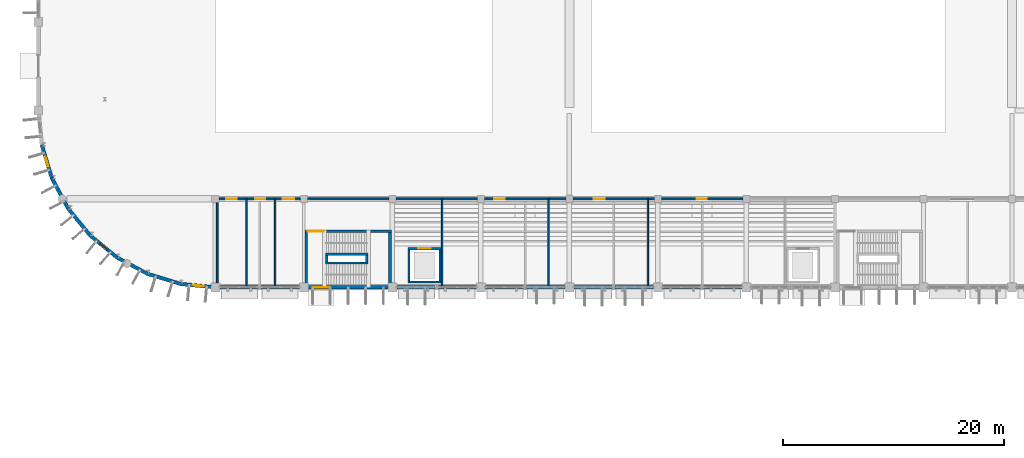
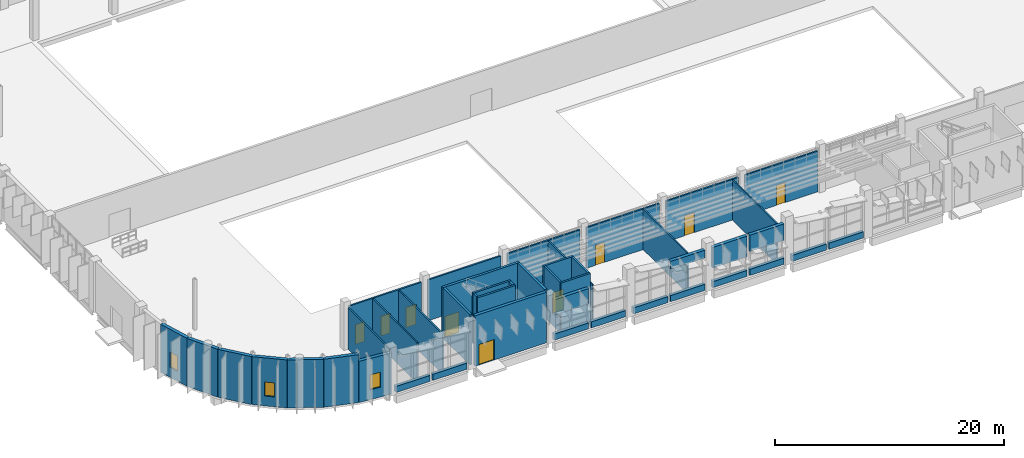
# One storey, part 71 of 103: 45 walls, 9 doors, 3 windows, 12 openings.
"""IFC4 building model written with IfcOpenShell, lengths in metres."""

from ifc_helpers import new_model, si_unit, direction, frame, frame_2d, origin, place, context, subcontext, project, spatial, rectangle, extrude, material, layer, layer_set, type_object, element, fill, save


model = new_model("IFC4")

# Units and contexts
model_context = context("Model", 3, precision=1e-05, world=origin(), true_north=direction((0.0, 1.0)))
body_context = subcontext(model_context, "Body", "Model", "MODEL_VIEW")
ifc_project = project(units=[si_unit("LENGTHUNIT", "METRE"), si_unit("AREAUNIT", "SQUARE_METRE"), si_unit("VOLUMEUNIT", "CUBIC_METRE"), si_unit("PLANEANGLEUNIT", "RADIAN"), si_unit("MASSUNIT", "GRAM", prefix="KILO")], contexts=[model_context])

# Site, building, storey
site_placement = place(None, origin())
site = spatial("IfcSite", under=ifc_project, at=site_placement, CompositionType="ELEMENT")
building_placement = place(site_placement, origin())
building = spatial("IfcBuilding", under=site, at=building_placement, Name="Drelvana Railside Aquatics Centre", CompositionType="ELEMENT")
storey_placement = place(building_placement, origin())
storey = spatial("IfcBuildingStorey", under=building, at=storey_placement, Name="L00", CompositionType="ELEMENT", Elevation=0.0)

# Wall, opening, door
ifc_material_1 = material(Name="Concrete C40/50", Category="concrete")
ifc_layer_1 = layer(ifc_material_1, 0.25, Name="Concrete C40/50")
ifc_layer_set_1 = layer_set([ifc_layer_1], Name="Concrete C40/50")
wall_type_1 = type_object("IfcWallType", Name="WL-CORE-250", PredefinedType="SHEAR", material=ifc_layer_set_1)
wall_1_placement = place(storey_placement, frame((24.10009765625, 21.074951171875, 0.0), z_axis=(0.0, 0.0, 1.0), x_axis=(1.0, 0.0, 0.0)))
wall_1 = element("IfcWall", 1, at=wall_1_placement, inside=storey, type_object=wall_type_1, Name="Core 1 South-West Pool Hall N core wall (L00)", PredefinedType="SHEAR", context=body_context, shape_type="SweptSolid", body=[
    extrude(rectangle(XDim=7.7998046875, YDim=0.25, at=frame_2d((3.89990234375, 0.0))), origin(), (0.0, 0.0, 1.0), 5.39990234375),
])
opening_1_placement = place(wall_1_placement, frame((0.25, 0.0, 0.0)))
opening_1 = element("IfcOpeningElement", 2, at=opening_1_placement, cuts=wall_1, Name="Opening D-01-002", PredefinedType="OPENING", context=body_context, shape_type="SweptSolid", body=[
    extrude(rectangle(XDim=1.449951171875, YDim=2.199951171875, at=frame_2d((0.72509765625, 1.10009765625))), frame((0.0, 0.135009765625, 0.0), z_axis=(0.0, -1.0, 0.0), x_axis=(1.0, 0.0, 0.0)), (0.0, 0.0, 1.0), 0.27001953125),
])
ifc_material_2 = material(Name="Fire-rated steel and vision-panel door", Category="steel")
door_type_1 = type_object("IfcDoorType", Name="DR-INT-STAIR-1450x2200", OperationType="DOUBLE_DOOR_SINGLE_SWING", PredefinedType="DOOR", material=ifc_material_2)
door_1_placement = place(opening_1_placement, origin())
door_1 = element("IfcDoor", 3, at=door_1_placement, inside=storey, type_object=door_type_1, Name="Stair ST-01 lobby door D-01-002", OperationType="DOUBLE_DOOR_SINGLE_SWING", OverallHeight=2.199951171875, OverallWidth=1.449951171875, PredefinedType="DOOR", context=body_context, shape_type="SweptSolid", body=[
    extrude(rectangle(XDim=1.449951171875, YDim=2.199951171875, at=frame_2d((0.72509765625, 1.10009765625))), frame((0.0, 0.02490234375, 0.0), z_axis=(0.0, -1.0, 0.0), x_axis=(1.0, 0.0, 0.0)), (0.0, 0.0, 1.0), 0.050048828125),
])
fill(opening_1, door_1)

# Walls
for number, where, z_axis, x_axis, name in (
    (4, (24.22509765625, 16.25, 0.0), (0.0, 0.0, 1.0), (0.0, 1.0, 0.0), "Core 1 South-West Pool Hall W core wall (L00)"),
    (5, (31.77490234375, 16.25, 0.0), (0.0, 0.0, 1.0), (0.0, 1.0, 0.0), "Core 1 South-West Pool Hall E core wall (L00)"),
):
    element("IfcWall", number, at=place(storey_placement, frame(where, z_axis=z_axis, x_axis=x_axis)), inside=storey, type_object=wall_type_1, Name=name, PredefinedType="SHEAR", context=body_context, shape_type="SweptSolid", body=[
        extrude(rectangle(XDim=4.699951171875, YDim=0.25, at=frame_2d((2.35009765625, 0.0))), origin(), (0.0, 0.0, 1.0), 5.39990234375),
    ])

# Wall, opening, door
ifc_layer_2 = layer(ifc_material_1, 0.300048828125, Name="Concrete C40/50")
ifc_layer_set_2 = layer_set([ifc_layer_2], Name="Concrete C40/50")
wall_type_2 = type_object("IfcWallType", Name="WL-CORE-300", PredefinedType="SHEAR", material=ifc_layer_set_2)
wall_2_placement = place(storey_placement, frame((24.39599609375, 16.0, 0.0), z_axis=(0.0, 0.0, 1.0), x_axis=(1.0, 0.0, 0.0)))
wall_2 = element("IfcWall", 6, at=wall_2_placement, inside=storey, type_object=wall_type_2, Name="Pool Hall south core shear wall 2", PredefinedType="SHEAR", context=body_context, shape_type="SweptSolid", body=[
    extrude(rectangle(XDim=7.2080078125, YDim=0.300048828125, at=frame_2d((3.60400390625, 0.0))), origin(), (0.0, 0.0, 1.0), 5.39990234375),
])
opening_2_placement = place(wall_2_placement, frame((0.404052734375, 0.0, 0.0)))
opening_2 = element("IfcOpeningElement", 7, at=opening_2_placement, cuts=wall_2, Name="Opening EX-03-001", PredefinedType="OPENING", context=body_context, shape_type="SweptSolid", body=[
    extrude(rectangle(XDim=1.550048828125, YDim=2.199951171875, at=frame_2d((0.77490234375, 1.10009765625))), frame((0.0, 0.159912109375, 0.0), z_axis=(0.0, -1.0, 0.0), x_axis=(1.0, 0.0, 0.0)), (0.0, 0.0, 1.0), 0.320068359375),
])
ifc_material_3 = material(Name="Thermally broken bronze-anodised aluminium and glazed door", Category="aluminium")
door_type_2 = type_object("IfcDoorType", Name="DR-EXT-EXIT-1550x2200", OperationType="DOUBLE_DOOR_SINGLE_SWING", PredefinedType="DOOR", material=ifc_material_3)
door_2_placement = place(opening_2_placement, frame((1.550048828125, 0.0, 0.0), z_axis=(0.0, 0.0, 1.0), x_axis=(-1.0, 0.0, 0.0)))
door_2 = element("IfcDoor", 8, at=door_2_placement, inside=storey, type_object=door_type_2, Name="Stair final exit door EX-03-001", OperationType="DOUBLE_DOOR_SINGLE_SWING", OverallHeight=2.199951171875, OverallWidth=1.550048828125, PredefinedType="DOOR", context=body_context, shape_type="SweptSolid", body=[
    extrude(rectangle(XDim=1.550048828125, YDim=2.199951171875, at=frame_2d((0.77490234375, 1.10009765625))), frame((0.0, 0.02490234375, 0.0), z_axis=(0.0, -1.0, 0.0), x_axis=(1.0, 0.0, 0.0)), (0.0, 0.0, 1.0), 0.050048828125),
])
fill(opening_2, door_2)

# Walls
ifc_material_4 = material(Name="Abuja granite ashlar cavity wall", Category="masonry")
ifc_layer_3 = layer(ifc_material_4, 0.330078125, Name="Abuja granite ashlar cavity wall")
ifc_layer_set_3 = layer_set([ifc_layer_3], Name="Abuja granite ashlar cavity wall")
wall_type_3 = type_object("IfcWallType", Name="WL-EXT-330", PredefinedType="STANDARD", material=ifc_layer_set_3)
for number, where, z_axis, x_axis, name in (
    (9, (16.39599609375, 16.0, 0.0), (0.0, 0.0, 1.0), (1.0, 0.0, 0.0), "Pool Hall south plinth wall 1.1"),
    (10, (20.139892578125, 16.0, 0.0), (0.0, 0.0, 1.0), (1.0, 0.0, 0.0), "Pool Hall south plinth wall 1.2"),
    (11, (32.39599609375, 16.0, 0.0), (0.0, 0.0, 1.0), (1.0, 0.0, 0.0), "Pool Hall south plinth wall 3.1"),
    (12, (36.139892578125, 16.0, 0.0), (0.0, 0.0, 1.0), (1.0, 0.0, 0.0), "Pool Hall south plinth wall 3.2"),
):
    element("IfcWall", number, at=place(storey_placement, frame(where, z_axis=z_axis, x_axis=x_axis)), inside=storey, type_object=wall_type_3, Name=name, PredefinedType="STANDARD", context=body_context, shape_type="SweptSolid", body=[
        extrude(rectangle(XDim=3.464111328125, YDim=0.330078125, at=frame_2d((1.73193359375, 0.0))), origin(), (0.0, 0.0, 1.0), 0.64990234375),
    ])
wall_3_placement = place(storey_placement, frame((32.39599609375, 16.0, 2.666015625), z_axis=(0.0, 0.0, 1.0), x_axis=(1.0, 0.0, 0.0)))
element("IfcWall", 13, at=wall_3_placement, inside=storey, type_object=wall_type_3, Name="Pool Hall south sine-wave spandrel 3.1", PredefinedType="STANDARD", context=body_context, shape_type="SweptSolid", body=[
    extrude(rectangle(XDim=3.464111328125, YDim=0.330078125, at=frame_2d((1.73193359375, 0.0))), origin(), (0.0, 0.0, 1.0), 1.638916015625),
])
for number, where, z_axis, x_axis, name in (
    (14, (40.39599609375, 16.0, 0.0), (0.0, 0.0, 1.0), (1.0, 0.0, 0.0), "Pool Hall south plinth wall 4.1"),
    (15, (44.139892578125, 16.0, 0.0), (0.0, 0.0, 1.0), (1.0, 0.0, 0.0), "Pool Hall south plinth wall 4.2"),
):
    element("IfcWall", number, at=place(storey_placement, frame(where, z_axis=z_axis, x_axis=x_axis)), inside=storey, type_object=wall_type_3, Name=name, PredefinedType="STANDARD", context=body_context, shape_type="SweptSolid", body=[
        extrude(rectangle(XDim=3.464111328125, YDim=0.330078125, at=frame_2d((1.73193359375, 0.0))), origin(), (0.0, 0.0, 1.0), 0.64990234375),
    ])
wall_4_placement = place(storey_placement, frame((44.139892578125, 16.0, 3.471923828125), z_axis=(0.0, 0.0, 1.0), x_axis=(1.0, 0.0, 0.0)))
element("IfcWall", 16, at=wall_4_placement, inside=storey, type_object=wall_type_3, Name="Pool Hall south sine-wave spandrel 4.2", PredefinedType="STANDARD", context=body_context, shape_type="SweptSolid", body=[
    extrude(rectangle(XDim=3.464111328125, YDim=0.330078125, at=frame_2d((1.73193359375, 0.0))), origin(), (0.0, 0.0, 1.0), 0.8330078125),
])
for number, where, z_axis, x_axis, name in (
    (17, (48.39599609375, 16.0, 0.0), (0.0, 0.0, 1.0), (1.0, 0.0, 0.0), "Pool Hall south plinth wall 5.1"),
    (18, (52.139892578125, 16.0, 0.0), (0.0, 0.0, 1.0), (1.0, 0.0, 0.0), "Pool Hall south plinth wall 5.2"),
):
    element("IfcWall", number, at=place(storey_placement, frame(where, z_axis=z_axis, x_axis=x_axis)), inside=storey, type_object=wall_type_3, Name=name, PredefinedType="STANDARD", context=body_context, shape_type="SweptSolid", body=[
        extrude(rectangle(XDim=3.464111328125, YDim=0.330078125, at=frame_2d((1.73193359375, 0.0))), origin(), (0.0, 0.0, 1.0), 0.64990234375),
    ])
wall_5_placement = place(storey_placement, frame((48.39599609375, 16.0, 2.095947265625), z_axis=(0.0, 0.0, 1.0), x_axis=(1.0, 0.0, 0.0)))
element("IfcWall", 19, at=wall_5_placement, inside=storey, type_object=wall_type_3, Name="Pool Hall south sine-wave spandrel 5.1", PredefinedType="STANDARD", context=body_context, shape_type="SweptSolid", body=[
    extrude(rectangle(XDim=3.464111328125, YDim=0.330078125, at=frame_2d((1.73193359375, 0.0))), origin(), (0.0, 0.0, 1.0), 2.208984375),
])
wall_6_placement = place(storey_placement, frame((52.139892578125, 16.0, 2.549072265625), z_axis=(0.0, 0.0, 1.0), x_axis=(1.0, 0.0, 0.0)))
element("IfcWall", 20, at=wall_6_placement, inside=storey, type_object=wall_type_3, Name="Pool Hall south sine-wave spandrel 5.2", PredefinedType="STANDARD", context=body_context, shape_type="SweptSolid", body=[
    extrude(rectangle(XDim=3.464111328125, YDim=0.330078125, at=frame_2d((1.73193359375, 0.0))), origin(), (0.0, 0.0, 1.0), 1.755859375),
])
for number, where, z_axis, x_axis, name in (
    (21, (56.39599609375, 16.0, 0.0), (0.0, 0.0, 1.0), (1.0, 0.0, 0.0), "Pool Hall south plinth wall 6.1"),
    (22, (60.139892578125, 16.0, 0.0), (0.0, 0.0, 1.0), (1.0, 0.0, 0.0), "Pool Hall south plinth wall 6.2"),
):
    element("IfcWall", number, at=place(storey_placement, frame(where, z_axis=z_axis, x_axis=x_axis)), inside=storey, type_object=wall_type_3, Name=name, PredefinedType="STANDARD", context=body_context, shape_type="SweptSolid", body=[
        extrude(rectangle(XDim=3.464111328125, YDim=0.330078125, at=frame_2d((1.73193359375, 0.0))), origin(), (0.0, 0.0, 1.0), 0.64990234375),
    ])

# Wall, opening, window
wall_7_placement = place(storey_placement, frame((0.307373046875, 28.878662109375, 0.0), z_axis=(0.0, 0.0, 1.0), x_axis=(0.29030980253, -0.956932713703, 0.0)))
wall_7 = element("IfcWall", 23, at=wall_7_placement, inside=storey, type_object=wall_type_3, Name="V1SW curved stone wall 2", PredefinedType="STANDARD", context=body_context, shape_type="SweptSolid", body=[
    extrude(rectangle(XDim=3.13671875, YDim=0.330078125, at=frame_2d((1.568359375, 0.0))), origin(), (0.0, 0.0, 1.0), 5.1298828125),
])
opening_3_placement = place(wall_7_placement, frame((1.118408203125, 0.0, 1.050048828125)))
opening_3 = element("IfcOpeningElement", 24, at=opening_3_placement, cuts=wall_7, Name="Opening W-02", PredefinedType="OPENING", context=body_context, shape_type="SweptSolid", body=[
    extrude(rectangle(XDim=0.89990234375, YDim=1.64990234375, at=frame_2d((0.449951171875, 0.824951171875))), frame((0.0, 0.175048828125, 0.0), z_axis=(0.0, -1.0, 0.0), x_axis=(1.0, 0.0, 0.0)), (0.0, 0.0, 1.0), 0.35009765625),
])
ifc_material_5 = material(Name="Double-glazed solar-control aluminium window", Category="aluminium")
window_type_1 = type_object("IfcWindowType", Name="WIN-02", PartitioningType="SINGLE_PANEL", PredefinedType="WINDOW", material=ifc_material_5)
window_1_placement = place(opening_3_placement, origin())
window_1 = element("IfcWindow", 25, at=window_1_placement, inside=storey, type_object=window_type_1, Name="Curved corner window WIN-02", OverallHeight=1.64990234375, OverallWidth=0.89990234375, PartitioningType="SINGLE_PANEL", PredefinedType="WINDOW", context=body_context, shape_type="SweptSolid", body=[
    extrude(rectangle(XDim=0.89990234375, YDim=1.64990234375, at=frame_2d((0.449951171875, 0.824951171875))), frame((0.0, 0.030029296875, 0.0), z_axis=(0.0, -1.0, 0.0), x_axis=(1.0, 0.0, 0.0)), (0.0, 0.0, 1.0), 0.06005859375),
])
fill(opening_3, window_1)

# Walls
for number, where, z_axis, x_axis, name in (
    (26, (1.218017578125, 25.876953125, 0.0), (0.0, 0.0, 1.0), (0.471396060548, -0.881921625826, 0.0), "V1SW curved stone wall 3"),
    (27, (2.696533203125, 23.11083984375, 0.0), (0.0, 0.0, 1.0), (0.634385792339, -0.773016601683, 0.0), "V1SW curved stone wall 4"),
):
    element("IfcWall", number, at=place(storey_placement, frame(where, z_axis=z_axis, x_axis=x_axis)), inside=storey, type_object=wall_type_3, Name=name, PredefinedType="STANDARD", context=body_context, shape_type="SweptSolid", body=[
        extrude(rectangle(XDim=3.136474609375, YDim=0.330078125, at=frame_2d((1.568359375, 0.0))), origin(), (0.0, 0.0, 1.0), 5.1298828125),
    ])

# Wall, opening, window
wall_8_placement = place(storey_placement, frame((4.686279296875, 20.686279296875, 0.0), z_axis=(0.0, 0.0, 1.0), x_axis=(0.773016601683, -0.634385792339, 0.0)))
wall_8 = element("IfcWall", 28, at=wall_8_placement, inside=storey, type_object=wall_type_3, Name="V1SW curved stone wall 5", PredefinedType="STANDARD", context=body_context, shape_type="SweptSolid", body=[
    extrude(rectangle(XDim=3.136474609375, YDim=0.330078125, at=frame_2d((1.568359375, 0.0))), origin(), (0.0, 0.0, 1.0), 5.1298828125),
])
opening_4_placement = place(wall_8_placement, frame((1.143310546875, 0.0, 1.050048828125)))
opening_4 = element("IfcOpeningElement", 29, at=opening_4_placement, cuts=wall_8, Name="Opening W-01", PredefinedType="OPENING", context=body_context, shape_type="SweptSolid", body=[
    extrude(rectangle(XDim=0.85009765625, YDim=1.5, at=frame_2d((0.425048828125, 0.75))), frame((0.0, 0.175048828125, 0.0), z_axis=(0.0, -1.0, 0.0), x_axis=(1.0, 0.0, 0.0)), (0.0, 0.0, 1.0), 0.35009765625),
])
window_type_2 = type_object("IfcWindowType", Name="WIN-01", PartitioningType="SINGLE_PANEL", PredefinedType="WINDOW", material=ifc_material_5)
window_2_placement = place(opening_4_placement, origin())
window_2 = element("IfcWindow", 30, at=window_2_placement, inside=storey, type_object=window_type_2, Name="Curved corner window WIN-01", OverallHeight=1.5, OverallWidth=0.85009765625, PartitioningType="SINGLE_PANEL", PredefinedType="WINDOW", context=body_context, shape_type="SweptSolid", body=[
    extrude(rectangle(XDim=0.85009765625, YDim=1.5, at=frame_2d((0.425048828125, 0.75))), frame((0.0, 0.030029296875, 0.0), z_axis=(0.0, -1.0, 0.0), x_axis=(1.0, 0.0, 0.0)), (0.0, 0.0, 1.0), 0.06005859375),
])
fill(opening_4, window_2)

# Walls
wall_9_placement = place(storey_placement, frame((7.11083984375, 18.696533203125, 0.0), z_axis=(0.0, 0.0, 1.0), x_axis=(0.881921625826, -0.471396060548, 0.0)))
element("IfcWall", 31, at=wall_9_placement, inside=storey, type_object=wall_type_3, Name="V1SW curved stone wall 6", PredefinedType="STANDARD", context=body_context, shape_type="SweptSolid", body=[
    extrude(rectangle(XDim=3.136474609375, YDim=0.330078125, at=frame_2d((1.568359375, 0.0))), origin(), (0.0, 0.0, 1.0), 5.1298828125),
])
wall_10_placement = place(storey_placement, frame((9.876953125, 17.218017578125, 0.0), z_axis=(0.0, 0.0, 1.0), x_axis=(0.956932713703, -0.29030980253, 0.0)))
element("IfcWall", 32, at=wall_10_placement, inside=storey, type_object=wall_type_3, Name="V1SW curved stone wall 7", PredefinedType="STANDARD", context=body_context, shape_type="SweptSolid", body=[
    extrude(rectangle(XDim=3.13671875, YDim=0.330078125, at=frame_2d((1.568359375, 0.0))), origin(), (0.0, 0.0, 1.0), 5.1298828125),
])

# Wall, opening, window
wall_11_placement = place(storey_placement, frame((12.878662109375, 16.307373046875, 0.0), z_axis=(0.0, 0.0, 1.0), x_axis=(0.995186340733, -0.098000751113, 0.0)))
wall_11 = element("IfcWall", 33, at=wall_11_placement, inside=storey, type_object=wall_type_3, Name="V1SW curved stone wall 8", PredefinedType="STANDARD", context=body_context, shape_type="SweptSolid", body=[
    extrude(rectangle(XDim=3.136474609375, YDim=0.330078125, at=frame_2d((1.568359375, 0.0))), origin(), (0.0, 0.0, 1.0), 4.405029296875),
])
opening_5_placement = place(wall_11_placement, frame((1.068359375, 0.0, 1.050048828125)))
opening_5 = element("IfcOpeningElement", 34, at=opening_5_placement, cuts=wall_11, Name="Opening W-04", PredefinedType="OPENING", context=body_context, shape_type="SweptSolid", body=[
    extrude(rectangle(XDim=1.0, YDim=1.60009765625, at=frame_2d((0.5, 0.800048828125))), frame((0.0, 0.175048828125, 0.0), z_axis=(0.0, -1.0, 0.0), x_axis=(1.0, 0.0, 0.0)), (0.0, 0.0, 1.0), 0.35009765625),
])
window_type_3 = type_object("IfcWindowType", Name="WIN-04", PartitioningType="SINGLE_PANEL", PredefinedType="WINDOW", material=ifc_material_5)
window_3_placement = place(opening_5_placement, origin())
window_3 = element("IfcWindow", 35, at=window_3_placement, inside=storey, type_object=window_type_3, Name="Curved corner window WIN-04", OverallHeight=1.60009765625, OverallWidth=1.0, PartitioningType="SINGLE_PANEL", PredefinedType="WINDOW", context=body_context, shape_type="SweptSolid", body=[
    extrude(rectangle(XDim=1.0, YDim=1.60009765625, at=frame_2d((0.5, 0.800048828125))), frame((0.0, 0.030029296875, 0.0), z_axis=(0.0, -1.0, 0.0), x_axis=(1.0, 0.0, 0.0)), (0.0, 0.0, 1.0), 0.06005859375),
])
fill(opening_5, window_3)

# Walls
ifc_layer_4 = layer(ifc_material_1, 0.199951171875, Name="Concrete C40/50")
ifc_layer_set_4 = layer_set([ifc_layer_4], Name="Concrete C40/50")
wall_type_4 = type_object("IfcWallType", Name="WL-SHFT-200", PredefinedType="SHEAR", material=ifc_layer_set_4)
for number, where, z_axis, x_axis, name in (
    (36, (25.969970703125, 18.199951171875, 0.0), (0.0, 0.0, 1.0), (1.0, 0.0, 0.0), "Stair ST-01 central spine wall A (L00)"),
    (37, (25.969970703125, 19.0, 0.0), (0.0, 0.0, 1.0), (1.0, 0.0, 0.0), "Stair ST-01 central spine wall B (L00)"),
):
    element("IfcWall", number, at=place(storey_placement, frame(where, z_axis=z_axis, x_axis=x_axis)), inside=storey, type_object=wall_type_4, Name=name, PredefinedType="SHEAR", context=body_context, shape_type="SweptSolid", body=[
        extrude(rectangle(XDim=3.820068359375, YDim=0.199951171875, at=frame_2d((1.91015625, 0.0))), origin(), (0.0, 0.0, 1.0), 5.39990234375),
    ])
for number, where, z_axis, x_axis, name in (
    (38, (26.070068359375, 18.300048828125, 0.0), (0.0, 0.0, 1.0), (0.0, 1.0, 0.0), "Stair ST-01 central spine wall W (L00)"),
    (39, (29.68994140625, 18.300048828125, 0.0), (0.0, 0.0, 1.0), (0.0, 1.0, 0.0), "Stair ST-01 central spine wall E (L00)"),
):
    element("IfcWall", number, at=place(storey_placement, frame(where, z_axis=z_axis, x_axis=x_axis)), inside=storey, type_object=wall_type_4, Name=name, PredefinedType="SHEAR", context=body_context, shape_type="SweptSolid", body=[
        extrude(rectangle(XDim=0.599853515625, YDim=0.199951171875, at=frame_2d((0.2998046875, 0.0))), origin(), (0.0, 0.0, 1.0), 5.39990234375),
    ])
wall_12_placement = place(storey_placement, frame((33.39990234375, 16.5, 0.0), z_axis=(0.0, 0.0, 1.0), x_axis=(1.0, 0.0, 0.0)))
element("IfcWall", 40, at=wall_12_placement, inside=storey, type_object=wall_type_4, Name="Lift LP-01 S shaft wall (L00)", PredefinedType="SHEAR", context=body_context, shape_type="SweptSolid", body=[
    extrude(rectangle(XDim=3.0, YDim=0.199951171875, at=frame_2d((1.5, 0.0))), origin(), (0.0, 0.0, 1.0), 5.39990234375),
])

# Wall, opening, door
wall_13_placement = place(storey_placement, frame((33.39990234375, 19.5, 0.0), z_axis=(0.0, 0.0, 1.0), x_axis=(1.0, 0.0, 0.0)))
wall_13 = element("IfcWall", 41, at=wall_13_placement, inside=storey, type_object=wall_type_4, Name="Lift LP-01 N shaft wall (L00)", PredefinedType="SHEAR", context=body_context, shape_type="SweptSolid", body=[
    extrude(rectangle(XDim=3.0, YDim=0.199951171875, at=frame_2d((1.5, 0.0))), origin(), (0.0, 0.0, 1.0), 5.39990234375),
])
opening_6_placement = place(wall_13_placement, frame((0.949951171875, 0.0, 0.0)))
opening_6 = element("IfcOpeningElement", 42, at=opening_6_placement, cuts=wall_13, Name="Opening LD-01-006", PredefinedType="OPENING", context=body_context, shape_type="SweptSolid", body=[
    extrude(rectangle(XDim=1.10009765625, YDim=2.199951171875, at=frame_2d((0.550048828125, 1.10009765625))), frame((0.0, 0.10986328125, 0.0), z_axis=(0.0, -1.0, 0.0), x_axis=(1.0, 0.0, 0.0)), (0.0, 0.0, 1.0), 0.219970703125),
])
ifc_material_6 = material(Name="Stainless steel lift landing sliding door", Category="steel")
door_type_3 = type_object("IfcDoorType", Name="DR-LIFT-LD-1100x2200", OperationType="SLIDING_TO_LEFT", PredefinedType="DOOR", material=ifc_material_6)
door_3_placement = place(opening_6_placement, origin())
door_3 = element("IfcDoor", 43, at=door_3_placement, inside=storey, type_object=door_type_3, Name="Lift LP-01 landing door LD-01-006", OperationType="SLIDING_TO_LEFT", OverallHeight=2.199951171875, OverallWidth=1.10009765625, PredefinedType="DOOR", context=body_context, shape_type="SweptSolid", body=[
    extrude(rectangle(XDim=1.10009765625, YDim=2.199951171875, at=frame_2d((0.550048828125, 1.10009765625))), frame((0.0, 0.02490234375, 0.0), z_axis=(0.0, -1.0, 0.0), x_axis=(1.0, 0.0, 0.0)), (0.0, 0.0, 1.0), 0.050048828125),
])
fill(opening_6, door_3)

# Walls
for number, where, z_axis, x_axis, name in (
    (44, (33.5, 16.60009765625, 0.0), (0.0, 0.0, 1.0), (0.0, 1.0, 0.0), "Lift LP-01 W shaft wall (L00)"),
    (45, (36.300048828125, 16.60009765625, 0.0), (0.0, 0.0, 1.0), (0.0, 1.0, 0.0), "Lift LP-01 E shaft wall (L00)"),
):
    element("IfcWall", number, at=place(storey_placement, frame(where, z_axis=z_axis, x_axis=x_axis)), inside=storey, type_object=wall_type_4, Name=name, PredefinedType="SHEAR", context=body_context, shape_type="SweptSolid", body=[
        extrude(rectangle(XDim=2.7998046875, YDim=0.199951171875, at=frame_2d((1.39990234375, 0.0))), origin(), (0.0, 0.0, 1.0), 5.39990234375),
    ])
ifc_material_7 = material(Name="Moisture-resistant tiled plumbing chase wall", Category="masonry")
ifc_layer_5 = layer(ifc_material_7, 0.139892578125, Name="Moisture-resistant tiled plumbing chase wall")
ifc_layer_set_5 = layer_set([ifc_layer_5], Name="Moisture-resistant tiled plumbing chase wall")
wall_type_5 = type_object("IfcWallType", Name="WL-WET-140", PredefinedType="PLUMBINGWALL", material=ifc_layer_set_5)
for number, where, z_axis, x_axis, name in (
    (46, (18.800048828125, 16.179931640625, 0.0), (0.0, 0.0, 1.0), (0.0, 1.0, 0.0), "Poolside room divider"),
    (47, (21.39990234375, 16.179931640625, 0.0), (0.0, 0.0, 1.0), (0.0, 1.0, 0.0), "Poolside room divider"),
    (48, (36.5, 16.179931640625, 0.0), (0.0, 0.0, 1.0), (0.0, 1.0, 0.0), "Poolside room divider"),
    (49, (46.10009765625, 16.179931640625, 0.0), (0.0, 0.0, 1.0), (0.0, 1.0, 0.0), "Poolside room divider"),
    (50, (55.10009765625, 16.179931640625, 0.0), (0.0, 0.0, 1.0), (0.0, 1.0, 0.0), "Poolside room divider"),
):
    element("IfcWall", number, at=place(storey_placement, frame(where, z_axis=z_axis, x_axis=x_axis)), inside=storey, type_object=wall_type_5, Name=name, PredefinedType="PLUMBINGWALL", context=body_context, shape_type="SweptSolid", body=[
        extrude(rectangle(XDim=7.820068359375, YDim=0.139892578125, at=frame_2d((3.91015625, 0.0))), origin(), (0.0, 0.0, 1.0), 4.304931640625),
    ])

# Wall, openings, doors
ifc_material_8 = material(Name="Water-resistant ceramic-tiled block partition", Category="masonry")
ifc_layer_6 = layer(ifc_material_8, 0.159912109375, Name="Water-resistant ceramic-tiled block partition")
ifc_layer_set_6 = layer_set([ifc_layer_6], Name="Water-resistant ceramic-tiled block partition")
wall_type_6 = type_object("IfcWallType", Name="WL-WET-160", PredefinedType="PARTITIONING", material=ifc_layer_set_6)
wall_14_placement = place(storey_placement, frame((16.326904296875, 24.0, 0.0), z_axis=(0.0, 0.0, 1.0), x_axis=(1.0, 0.0, 0.0)))
wall_14 = element("IfcWall", 51, at=wall_14_placement, inside=storey, type_object=wall_type_6, Name="Pool Hall south support wall", PredefinedType="PARTITIONING", context=body_context, shape_type="SweptSolid", body=[
    extrude(rectangle(XDim=7.34619140625, YDim=0.159912109375, at=frame_2d((3.673095703125, 0.0))), origin(), (0.0, 0.0, 1.0), 4.35498046875),
])
opening_7_placement = place(wall_14_placement, frame((0.673095703125, 0.0, 0.0)))
opening_7 = element("IfcOpeningElement", 52, at=opening_7_placement, cuts=wall_14, Name="Opening D-11-126", PredefinedType="OPENING", context=body_context, shape_type="SweptSolid", body=[
    extrude(rectangle(XDim=0.919921875, YDim=2.10009765625, at=frame_2d((0.4599609375, 1.050048828125))), frame((0.0, 0.08984375, 0.0), z_axis=(0.0, -1.0, 0.0), x_axis=(1.0, 0.0, 0.0)), (0.0, 0.0, 1.0), 0.179931640625),
])
opening_8_placement = place(wall_14_placement, frame((3.27294921875, 0.0, 0.0)))
opening_8 = element("IfcOpeningElement", 53, at=opening_8_placement, cuts=wall_14, Name="Opening D-11-127", PredefinedType="OPENING", context=body_context, shape_type="SweptSolid", body=[
    extrude(rectangle(XDim=0.919921875, YDim=2.10009765625, at=frame_2d((0.4599609375, 1.050048828125))), frame((0.0, 0.08984375, 0.0), z_axis=(0.0, -1.0, 0.0), x_axis=(1.0, 0.0, 0.0)), (0.0, 0.0, 1.0), 0.179931640625),
])
opening_9_placement = place(wall_14_placement, frame((5.77294921875, 0.0, 0.0)))
opening_9 = element("IfcOpeningElement", 54, at=opening_9_placement, cuts=wall_14, Name="Opening D-12-128", PredefinedType="OPENING", context=body_context, shape_type="SweptSolid", body=[
    extrude(rectangle(XDim=1.050048828125, YDim=2.14990234375, at=frame_2d((0.52490234375, 1.074951171875))), frame((0.0, 0.08984375, 0.0), z_axis=(0.0, -1.0, 0.0), x_axis=(1.0, 0.0, 0.0)), (0.0, 0.0, 1.0), 0.179931640625),
])
ifc_material_9 = material(Name="Accessible toilet outward-opening door", Category="wood")
door_type_4 = type_object("IfcDoorType", Name="DR-INT-AWC-1050x2150", OperationType="NOTDEFINED", PredefinedType="DOOR", material=ifc_material_9)
door_4_placement = place(opening_9_placement, origin())
door_4 = element("IfcDoor", 55, at=door_4_placement, inside=storey, type_object=door_type_4, Name="Poolside Accessible WC door D-12-128", OperationType="SINGLE_SWING_RIGHT", OverallHeight=2.14990234375, OverallWidth=1.050048828125, PredefinedType="DOOR", context=body_context, shape_type="SweptSolid", body=[
    extrude(rectangle(XDim=1.050048828125, YDim=2.14990234375, at=frame_2d((0.52490234375, 1.074951171875))), frame((0.0, 0.02490234375, 0.0), z_axis=(0.0, -1.0, 0.0), x_axis=(1.0, 0.0, 0.0)), (0.0, 0.0, 1.0), 0.050048828125),
])
fill(opening_9, door_4)
ifc_material_10 = material(Name="Moisture-resistant laminate WC door", Category="wood")
door_type_5 = type_object("IfcDoorType", Name="DR-INT-WC-920x2100", OperationType="NOTDEFINED", PredefinedType="DOOR", material=ifc_material_10)
door_5_placement = place(opening_7_placement, origin())
door_5 = element("IfcDoor", 56, at=door_5_placement, inside=storey, type_object=door_type_5, Name="Poolside Male WC door D-11-126", OperationType="SINGLE_SWING_RIGHT", OverallHeight=2.10009765625, OverallWidth=0.919921875, PredefinedType="DOOR", context=body_context, shape_type="SweptSolid", body=[
    extrude(rectangle(XDim=0.919921875, YDim=2.10009765625, at=frame_2d((0.4599609375, 1.050048828125))), frame((0.0, 0.02490234375, 0.0), z_axis=(0.0, -1.0, 0.0), x_axis=(1.0, 0.0, 0.0)), (0.0, 0.0, 1.0), 0.050048828125),
])
fill(opening_7, door_5)
door_6_placement = place(opening_8_placement, origin())
door_6 = element("IfcDoor", 57, at=door_6_placement, inside=storey, type_object=door_type_5, Name="Poolside Female WC door D-11-127", OperationType="SINGLE_SWING_LEFT", OverallHeight=2.10009765625, OverallWidth=0.919921875, PredefinedType="DOOR", context=body_context, shape_type="SweptSolid", body=[
    extrude(rectangle(XDim=0.919921875, YDim=2.10009765625, at=frame_2d((0.4599609375, 1.050048828125))), frame((0.0, 0.02490234375, 0.0), z_axis=(0.0, -1.0, 0.0), x_axis=(1.0, 0.0, 0.0)), (0.0, 0.0, 1.0), 0.050048828125),
])
fill(opening_8, door_6)

# Walls
for number, where, z_axis, x_axis, name in (
    (58, (24.326904296875, 24.0, 0.0), (0.0, 0.0, 1.0), (1.0, 0.0, 0.0), "Pool Hall south support wall"),
    (59, (32.326904296875, 24.0, 0.0), (0.0, 0.0, 1.0), (1.0, 0.0, 0.0), "Pool Hall south support wall"),
):
    element("IfcWall", number, at=place(storey_placement, frame(where, z_axis=z_axis, x_axis=x_axis)), inside=storey, type_object=wall_type_6, Name=name, PredefinedType="PARTITIONING", context=body_context, shape_type="SweptSolid", body=[
        extrude(rectangle(XDim=7.34619140625, YDim=0.159912109375, at=frame_2d((3.673095703125, 0.0))), origin(), (0.0, 0.0, 1.0), 4.35498046875),
    ])

# Wall, opening, door
wall_15_placement = place(storey_placement, frame((40.326904296875, 24.0, 0.0), z_axis=(0.0, 0.0, 1.0), x_axis=(1.0, 0.0, 0.0)))
wall_15 = element("IfcWall", 60, at=wall_15_placement, inside=storey, type_object=wall_type_6, Name="Pool Hall south support wall", PredefinedType="PARTITIONING", context=body_context, shape_type="SweptSolid", body=[
    extrude(rectangle(XDim=7.34619140625, YDim=0.159912109375, at=frame_2d((3.673095703125, 0.0))), origin(), (0.0, 0.0, 1.0), 4.35498046875),
])
opening_10_placement = place(wall_15_placement, frame((0.873046875, 0.0, 0.0)))
opening_10 = element("IfcOpeningElement", 61, at=opening_10_placement, cuts=wall_15, Name="Opening D-10-129", PredefinedType="OPENING", context=body_context, shape_type="SweptSolid", body=[
    extrude(rectangle(XDim=0.949951171875, YDim=2.14990234375, at=frame_2d((0.47509765625, 1.074951171875))), frame((0.0, 0.08984375, 0.0), z_axis=(0.0, -1.0, 0.0), x_axis=(1.0, 0.0, 0.0)), (0.0, 0.0, 1.0), 0.179931640625),
])
ifc_material_11 = material(Name="Timber veneer office door", Category="wood")
door_type_6 = type_object("IfcDoorType", Name="DR-INT-OFF-950x2150", OperationType="NOTDEFINED", PredefinedType="DOOR", material=ifc_material_11)
door_7_placement = place(opening_10_placement, origin())
door_7 = element("IfcDoor", 62, at=door_7_placement, inside=storey, type_object=door_type_6, Name="Lifeguard Control door D-10-129", OperationType="SINGLE_SWING_LEFT", OverallHeight=2.14990234375, OverallWidth=0.949951171875, PredefinedType="DOOR", context=body_context, shape_type="SweptSolid", body=[
    extrude(rectangle(XDim=0.949951171875, YDim=2.14990234375, at=frame_2d((0.47509765625, 1.074951171875))), frame((0.0, 0.02490234375, 0.0), z_axis=(0.0, -1.0, 0.0), x_axis=(1.0, 0.0, 0.0)), (0.0, 0.0, 1.0), 0.050048828125),
])
fill(opening_10, door_7)

wall_16_placement = place(storey_placement, frame((48.326904296875, 24.0, 0.0), z_axis=(0.0, 0.0, 1.0), x_axis=(1.0, 0.0, 0.0)))
wall_16 = element("IfcWall", 63, at=wall_16_placement, inside=storey, type_object=wall_type_6, Name="Pool Hall south support wall", PredefinedType="PARTITIONING", context=body_context, shape_type="SweptSolid", body=[
    extrude(rectangle(XDim=7.34619140625, YDim=0.159912109375, at=frame_2d((3.673095703125, 0.0))), origin(), (0.0, 0.0, 1.0), 4.35498046875),
])
opening_11_placement = place(wall_16_placement, frame((1.873046875, 0.0, 0.0)))
opening_11 = element("IfcOpeningElement", 64, at=opening_11_placement, cuts=wall_16, Name="Opening D-09-130", PredefinedType="OPENING", context=body_context, shape_type="SweptSolid", body=[
    extrude(rectangle(XDim=1.0, YDim=2.14990234375, at=frame_2d((0.5, 1.074951171875))), frame((0.0, 0.08984375, 0.0), z_axis=(0.0, -1.0, 0.0), x_axis=(1.0, 0.0, 0.0)), (0.0, 0.0, 1.0), 0.179931640625),
])
ifc_material_12 = material(Name="Hardwood acoustic room door", Category="wood")
door_type_7 = type_object("IfcDoorType", Name="DR-INT-ROOM-1000x2150", OperationType="NOTDEFINED", PredefinedType="DOOR", material=ifc_material_12)
door_8_placement = place(opening_11_placement, origin())
door_8 = element("IfcDoor", 65, at=door_8_placement, inside=storey, type_object=door_type_7, Name="Poolside First Aid door D-09-130", OperationType="SINGLE_SWING_RIGHT", OverallHeight=2.14990234375, OverallWidth=1.0, PredefinedType="DOOR", context=body_context, shape_type="SweptSolid", body=[
    extrude(rectangle(XDim=1.0, YDim=2.14990234375, at=frame_2d((0.5, 1.074951171875))), frame((0.0, 0.02490234375, 0.0), z_axis=(0.0, -1.0, 0.0), x_axis=(1.0, 0.0, 0.0)), (0.0, 0.0, 1.0), 0.050048828125),
])
fill(opening_11, door_8)

wall_17_placement = place(storey_placement, frame((56.326904296875, 24.0, 0.0), z_axis=(0.0, 0.0, 1.0), x_axis=(1.0, 0.0, 0.0)))
wall_17 = element("IfcWall", 66, at=wall_17_placement, inside=storey, type_object=wall_type_6, Name="Pool Hall south support wall", PredefinedType="PARTITIONING", context=body_context, shape_type="SweptSolid", body=[
    extrude(rectangle(XDim=7.34619140625, YDim=0.159912109375, at=frame_2d((3.673095703125, 0.0))), origin(), (0.0, 0.0, 1.0), 4.35498046875),
])
opening_12_placement = place(wall_17_placement, frame((3.173095703125, 0.0, 0.0)))
opening_12 = element("IfcOpeningElement", 67, at=opening_12_placement, cuts=wall_17, Name="Opening D-19-131", PredefinedType="OPENING", context=body_context, shape_type="SweptSolid", body=[
    extrude(rectangle(XDim=0.89990234375, YDim=2.14990234375, at=frame_2d((0.449951171875, 1.074951171875))), frame((0.0, 0.08984375, 0.0), z_axis=(0.0, -1.0, 0.0), x_axis=(1.0, 0.0, 0.0)), (0.0, 0.0, 1.0), 0.179931640625),
])
ifc_material_13 = material(Name="Consultation suite door", Category="wood")
door_type_8 = type_object("IfcDoorType", Name="DR-INT-OFF-900x2150", OperationType="NOTDEFINED", PredefinedType="DOOR", material=ifc_material_13)
door_9_placement = place(opening_12_placement, origin())
door_9 = element("IfcDoor", 68, at=door_9_placement, inside=storey, type_object=door_type_8, Name="Doping Control Suite door D-19-131", OperationType="SINGLE_SWING_LEFT", OverallHeight=2.14990234375, OverallWidth=0.89990234375, PredefinedType="DOOR", context=body_context, shape_type="SweptSolid", body=[
    extrude(rectangle(XDim=0.89990234375, YDim=2.14990234375, at=frame_2d((0.449951171875, 1.074951171875))), frame((0.0, 0.02490234375, 0.0), z_axis=(0.0, -1.0, 0.0), x_axis=(1.0, 0.0, 0.0)), (0.0, 0.0, 1.0), 0.050048828125),
])
fill(opening_12, door_9)

# Wall
wall_18_placement = place(storey_placement, frame((16.179931640625, 16.402099609375, 0.0), z_axis=(0.0, 0.0, 1.0), x_axis=(0.0, 1.0, 0.0)))
element("IfcWall", 69, at=wall_18_placement, inside=storey, type_object=wall_type_6, Name="Poolside WC west closure wall", PredefinedType="PARTITIONING", context=body_context, shape_type="SweptSolid", body=[
    extrude(rectangle(XDim=7.27099609375, YDim=0.159912109375, at=frame_2d((3.635498046875, 0.0))), origin(), (0.0, 0.0, 1.0), 4.405029296875),
])

save(model, "model.ifc")
